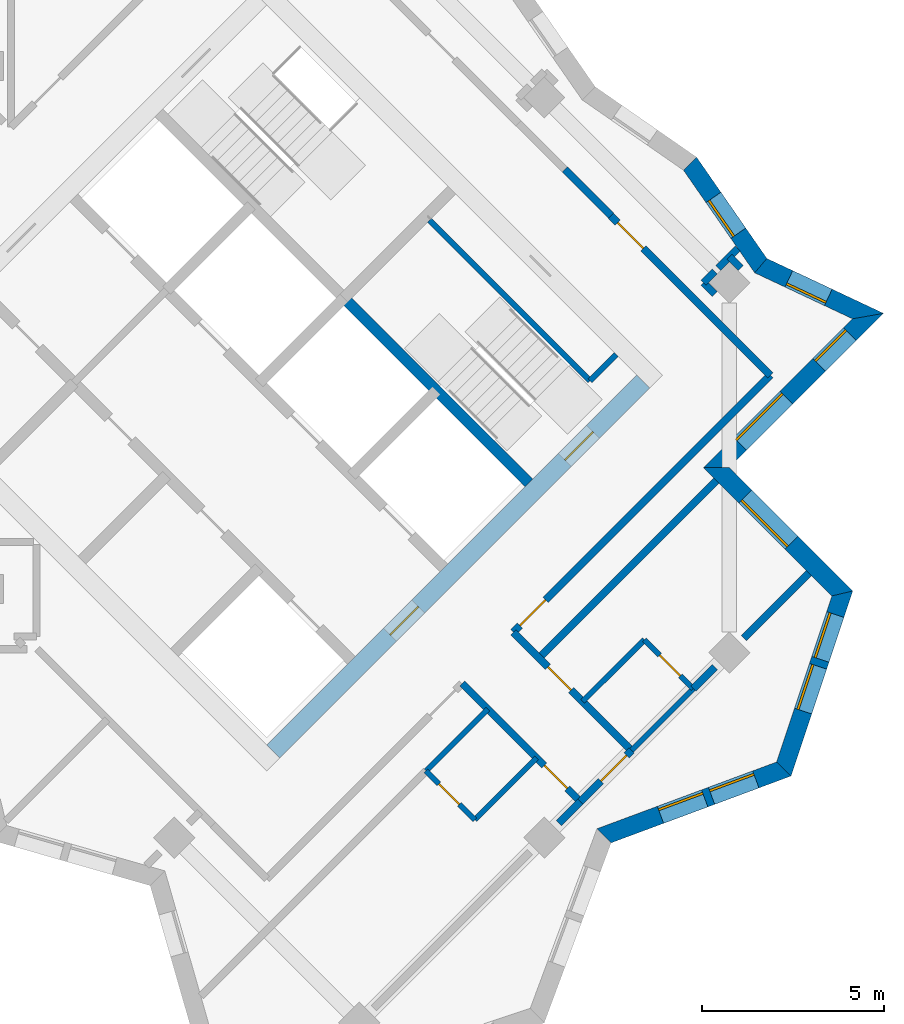
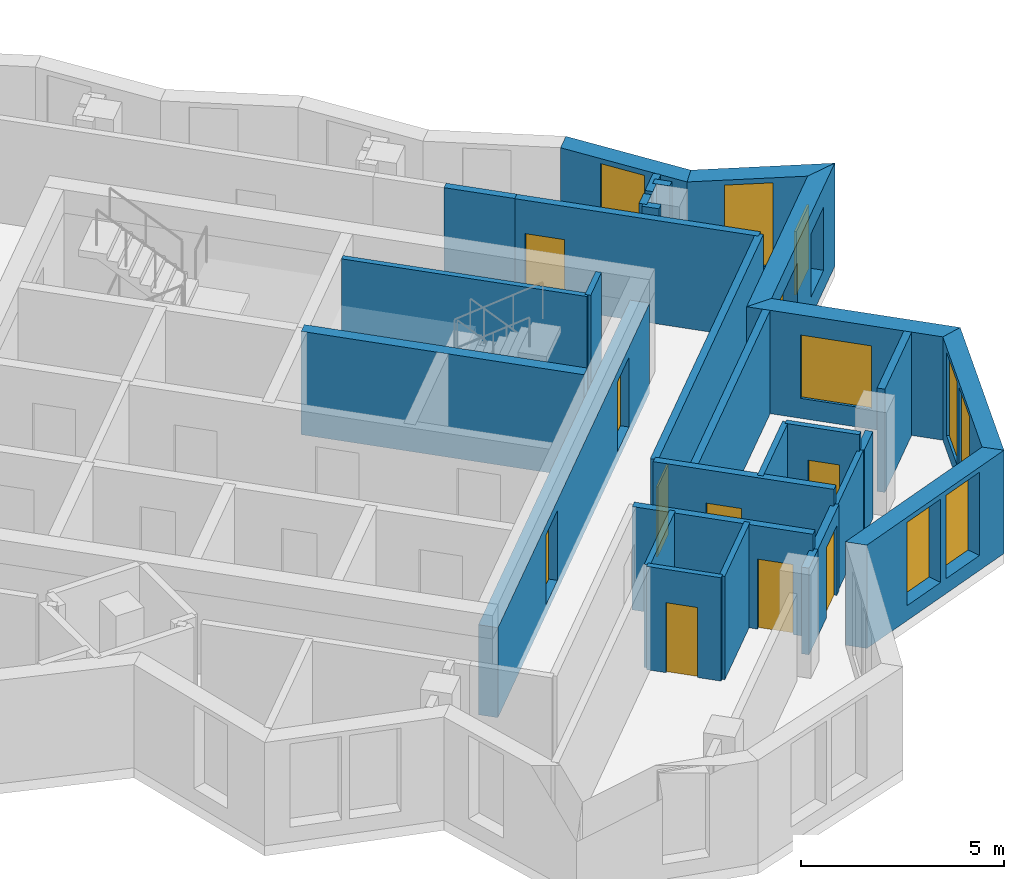
# One storey, part 9 of 13: 30 walls, 9 doors, 9 windows, 18 openings.
"""IFC4 building model written with IfcOpenShell, lengths in metres."""

from ifc_helpers import new_model, si_unit, direction, frame, frame_2d, origin, place, context, subcontext, project, spatial, polyline, rectangle, outline, extrude, material, layer, layer_set, type_object, element, fill, save


model = new_model("IFC4")

# Units and contexts
model_context = context("Model", 3, precision=1e-05, world=origin(), true_north=direction((0.0, 1.0)))
body_context = subcontext(model_context, "Body", "Model", "MODEL_VIEW")
ifc_project = project(units=[si_unit("LENGTHUNIT", "METRE"), si_unit("AREAUNIT", "SQUARE_METRE"), si_unit("VOLUMEUNIT", "CUBIC_METRE"), si_unit("PLANEANGLEUNIT", "RADIAN"), si_unit("MASSUNIT", "GRAM", prefix="KILO")], contexts=[model_context])

# Site, building, storey
site_placement = place(None, origin())
site = spatial("IfcSite", under=ifc_project, at=site_placement, CompositionType="ELEMENT")
building_placement = place(site_placement, origin())
building = spatial("IfcBuilding", under=site, at=building_placement, Name="Windrow Commons", CompositionType="ELEMENT")
storey_placement = place(building_placement, frame((0.0, 0.0, 223.6)))
storey = spatial("IfcBuildingStorey", under=building, at=storey_placement, Name="L61", CompositionType="ELEMENT", Elevation=223.6)

# Wall, openings, windows
ifc_material_1 = material(Name="Brick masonry, red clay brick", Category="masonry")
ifc_layer_1 = layer(ifc_material_1, 0.5)
ifc_layer_set_1 = layer_set([ifc_layer_1], Name="Brick facade wall 500")
wall_type_1 = type_object("IfcWallType", Name="Brick facade wall 500", PredefinedType="SOLIDWALL", material=ifc_layer_set_1)
wall_1_placement = place(storey_placement, frame((96.1175, 36.4148, 0.0), z_axis=(0.0, 0.0, 1.0), x_axis=(0.9374238577, 0.3481903374, 0.0)))
wall_1 = element("IfcWall", 1, at=wall_1_placement, inside=storey, type_object=wall_type_1, Name="Brick facade wall L61 3", PredefinedType="SOLIDWALL", context=body_context, shape_type="SweptSolid", body=[
    extrude(outline(polyline([(0.1146, -0.25), (5.3947, -0.25), (5.1552, 0.25), (-0.1146, 0.25), (0.1146, -0.25)])), origin(), (0.0, 0.0, 1.0), 3.1),
])
opening_1_placement = place(wall_1_placement, frame((1.655, 0.0, 0.45)))
opening_1 = element("IfcOpeningElement", 2, at=opening_1_placement, cuts=wall_1, Name="Opening W1Q", PredefinedType="OPENING", context=body_context, shape_type="SweptSolid", body=[
    extrude(rectangle(XDim=1.3, YDim=2.5, at=frame_2d((0.65, 1.25))), frame((0.0, 0.26, 0.0), z_axis=(0.0, -1.0, 0.0), x_axis=(1.0, 0.0, 0.0)), (0.0, 0.0, 1.0), 0.52),
])
opening_2_placement = place(wall_1_placement, frame((3.155, 0.0, 0.45)))
opening_2 = element("IfcOpeningElement", 3, at=opening_2_placement, cuts=wall_1, Name="Opening W1Q", PredefinedType="OPENING", context=body_context, shape_type="SweptSolid", body=[
    extrude(rectangle(XDim=1.3, YDim=2.5, at=frame_2d((0.65, 1.25))), frame((0.0, 0.26, 0.0), z_axis=(0.0, -1.0, 0.0), x_axis=(1.0, 0.0, 0.0)), (0.0, 0.0, 1.0), 0.52),
])
ifc_material_2 = material(Name="Clear float glass in anodised aluminium frame", Category="aluminium")
window_type_1 = type_object("IfcWindowType", Name="Window W1Q pair 1300x2500", PartitioningType="SINGLE_PANEL", PredefinedType="WINDOW", material=ifc_material_2)
window_1_placement = place(opening_1_placement, origin())
window_1 = element("IfcWindow", 4, at=window_1_placement, inside=storey, type_object=window_type_1, Name="Window L61 3.1A", OverallHeight=2.5, OverallWidth=1.3, PartitioningType="SINGLE_PANEL", PredefinedType="WINDOW", context=body_context, shape_type="SweptSolid", body=[
    extrude(rectangle(XDim=1.3, YDim=2.5, at=frame_2d((0.65, 1.25))), frame((0.0, 0.18, 0.0), z_axis=(0.0, -1.0, 0.0), x_axis=(1.0, 0.0, 0.0)), (0.0, 0.0, 1.0), 0.06),
])
fill(opening_1, window_1)
window_2_placement = place(opening_2_placement, origin())
window_2 = element("IfcWindow", 5, at=window_2_placement, inside=storey, type_object=window_type_1, Name="Window L61 3.1B", OverallHeight=2.5, OverallWidth=1.3, PartitioningType="SINGLE_PANEL", PredefinedType="WINDOW", context=body_context, shape_type="SweptSolid", body=[
    extrude(rectangle(XDim=1.3, YDim=2.5, at=frame_2d((0.65, 1.25))), frame((0.0, 0.18, 0.0), z_axis=(0.0, -1.0, 0.0), x_axis=(1.0, 0.0, 0.0)), (0.0, 0.0, 1.0), 0.06),
])
fill(opening_2, window_2)

wall_2_placement = place(storey_placement, frame((101.0624, 38.2515, 0.0), z_axis=(0.0, 0.0, 1.0), x_axis=(0.3162395484, 0.9486793705, 0.0)))
wall_2 = element("IfcWall", 6, at=wall_2_placement, inside=storey, type_object=wall_type_1, Name="Brick facade wall L61 4", PredefinedType="SOLIDWALL", context=body_context, shape_type="SweptSolid", body=[
    extrude(outline(polyline([(-0.1197, -0.25), (5.2468, -0.25), (4.9378, 0.25), (0.1197, 0.25), (-0.1197, -0.25)])), origin(), (0.0, 0.0, 1.0), 3.1),
])
opening_3_placement = place(wall_2_placement, frame((1.6796, 0.0, 0.45)))
opening_3 = element("IfcOpeningElement", 7, at=opening_3_placement, cuts=wall_2, Name="Opening W1Q", PredefinedType="OPENING", context=body_context, shape_type="SweptSolid", body=[
    extrude(rectangle(XDim=1.3, YDim=2.5, at=frame_2d((0.65, 1.25))), frame((0.0, 0.26, 0.0), z_axis=(0.0, -1.0, 0.0), x_axis=(1.0, 0.0, 0.0)), (0.0, 0.0, 1.0), 0.52),
])
opening_4_placement = place(wall_2_placement, frame((3.1796, 0.0, 0.45)))
opening_4 = element("IfcOpeningElement", 8, at=opening_4_placement, cuts=wall_2, Name="Opening W1Q", PredefinedType="OPENING", context=body_context, shape_type="SweptSolid", body=[
    extrude(rectangle(XDim=1.3, YDim=2.5, at=frame_2d((0.65, 1.25))), frame((0.0, 0.26, 0.0), z_axis=(0.0, -1.0, 0.0), x_axis=(1.0, 0.0, 0.0)), (0.0, 0.0, 1.0), 0.52),
])
window_3_placement = place(opening_3_placement, origin())
window_3 = element("IfcWindow", 9, at=window_3_placement, inside=storey, type_object=window_type_1, Name="Window L61 4.1A", OverallHeight=2.5, OverallWidth=1.3, PartitioningType="SINGLE_PANEL", PredefinedType="WINDOW", context=body_context, shape_type="SweptSolid", body=[
    extrude(rectangle(XDim=1.3, YDim=2.5, at=frame_2d((0.65, 1.25))), frame((0.0, 0.18, 0.0), z_axis=(0.0, -1.0, 0.0), x_axis=(1.0, 0.0, 0.0)), (0.0, 0.0, 1.0), 0.06),
])
fill(opening_3, window_3)
window_4_placement = place(opening_4_placement, origin())
window_4 = element("IfcWindow", 10, at=window_4_placement, inside=storey, type_object=window_type_1, Name="Window L61 4.1B", OverallHeight=2.5, OverallWidth=1.3, PartitioningType="SINGLE_PANEL", PredefinedType="WINDOW", context=body_context, shape_type="SweptSolid", body=[
    extrude(rectangle(XDim=1.3, YDim=2.5, at=frame_2d((0.65, 1.25))), frame((0.0, 0.18, 0.0), z_axis=(0.0, -1.0, 0.0), x_axis=(1.0, 0.0, 0.0)), (0.0, 0.0, 1.0), 0.06),
])
fill(opening_4, window_4)

# Wall, opening, window
wall_3_placement = place(storey_placement, frame((102.6728, 43.0825, 0.0), z_axis=(0.0, 0.0, 1.0), x_axis=(-0.7071067812, 0.7071067812, 0.0)))
wall_3 = element("IfcWall", 11, at=wall_3_placement, inside=storey, type_object=wall_type_1, Name="Brick facade wall L61 5", PredefinedType="SOLIDWALL", context=body_context, shape_type="SweptSolid", body=[
    extrude(outline(polyline([(-0.1545, -0.25), (4.6455, -0.25), (5.1455, 0.25), (0.1545, 0.25), (-0.1545, -0.25)])), origin(), (0.0, 0.0, 1.0), 3.1),
])
opening_5_placement = place(wall_3_placement, frame((1.9705, 0.0, 0.6)))
opening_5 = element("IfcOpeningElement", 12, at=opening_5_placement, cuts=wall_3, Name="Opening W1L", PredefinedType="OPENING", context=body_context, shape_type="SweptSolid", body=[
    extrude(rectangle(XDim=1.8, YDim=1.9, at=frame_2d((0.9, 0.95))), frame((0.0, 0.26, 0.0), z_axis=(0.0, -1.0, 0.0), x_axis=(1.0, 0.0, 0.0)), (0.0, 0.0, 1.0), 0.52),
])
ifc_material_3 = material(Name="Clear float glass in anodised aluminium frame", Category="aluminium")
window_type_2 = type_object("IfcWindowType", Name="Window W1L bedroom 1800x1900", PartitioningType="SINGLE_PANEL", PredefinedType="WINDOW", material=ifc_material_3)
window_5_placement = place(opening_5_placement, origin())
window_5 = element("IfcWindow", 13, at=window_5_placement, inside=storey, type_object=window_type_2, Name="Window L61 5.1", OverallHeight=1.9, OverallWidth=1.8, PartitioningType="SINGLE_PANEL", PredefinedType="WINDOW", context=body_context, shape_type="SweptSolid", body=[
    extrude(rectangle(XDim=1.8, YDim=1.9, at=frame_2d((0.9, 0.95))), frame((0.0, 0.18, 0.0), z_axis=(0.0, -1.0, 0.0), x_axis=(1.0, 0.0, 0.0)), (0.0, 0.0, 1.0), 0.06),
])
fill(opening_5, window_5)

# Wall, openings, windows
wall_4_placement = place(storey_placement, frame((99.2111, 46.5442, 0.0), z_axis=(0.0, 0.0, 1.0), x_axis=(0.7071152597, 0.7070983025, 0.0)))
wall_4 = element("IfcWall", 14, at=wall_4_placement, inside=storey, type_object=wall_type_1, Name="Brick facade wall L61 6", PredefinedType="SOLIDWALL", context=body_context, shape_type="SweptSolid", body=[
    extrude(outline(polyline([(0.25, -0.25), (6.253, -0.25), (5.5414, 0.25), (-0.25, 0.25), (0.25, -0.25)])), origin(), (0.0, 0.0, 1.0), 3.1),
])
opening_6_placement = place(wall_4_placement, frame((0.925, 0.0, 0.6)))
opening_6 = element("IfcOpeningElement", 15, at=opening_6_placement, cuts=wall_4, Name="Opening W1L", PredefinedType="OPENING", context=body_context, shape_type="SweptSolid", body=[
    extrude(rectangle(XDim=1.8, YDim=1.9, at=frame_2d((0.9, 0.95))), frame((0.0, 0.26, 0.0), z_axis=(0.0, -1.0, 0.0), x_axis=(1.0, 0.0, 0.0)), (0.0, 0.0, 1.0), 0.52),
])
opening_7_placement = place(wall_4_placement, frame((3.9957, 0.0, 0.6)))
opening_7 = element("IfcOpeningElement", 16, at=opening_7_placement, cuts=wall_4, Name="Opening W7G", PredefinedType="OPENING", context=body_context, shape_type="SweptSolid", body=[
    extrude(rectangle(XDim=1.2, YDim=1.9, at=frame_2d((0.6, 0.95))), frame((0.0, 0.26, 0.0), z_axis=(0.0, -1.0, 0.0), x_axis=(1.0, 0.0, 0.0)), (0.0, 0.0, 1.0), 0.52),
])
window_6_placement = place(opening_6_placement, origin())
window_6 = element("IfcWindow", 17, at=window_6_placement, inside=storey, type_object=window_type_2, Name="Window L61 6.1", OverallHeight=1.9, OverallWidth=1.8, PartitioningType="SINGLE_PANEL", PredefinedType="WINDOW", context=body_context, shape_type="SweptSolid", body=[
    extrude(rectangle(XDim=1.8, YDim=1.9, at=frame_2d((0.9, 0.95))), frame((0.0, 0.18, 0.0), z_axis=(0.0, -1.0, 0.0), x_axis=(1.0, 0.0, 0.0)), (0.0, 0.0, 1.0), 0.06),
])
fill(opening_6, window_6)
ifc_material_4 = material(Name="Clear float glass in anodised aluminium frame", Category="aluminium")
window_type_3 = type_object("IfcWindowType", Name="Window W7 notch 1200x1900", PartitioningType="SINGLE_PANEL", PredefinedType="WINDOW", material=ifc_material_4)
window_7_placement = place(opening_7_placement, origin())
window_7 = element("IfcWindow", 18, at=window_7_placement, inside=storey, type_object=window_type_3, Name="Window L61 6.2", OverallHeight=1.9, OverallWidth=1.2, PartitioningType="SINGLE_PANEL", PredefinedType="WINDOW", context=body_context, shape_type="SweptSolid", body=[
    extrude(rectangle(XDim=1.2, YDim=1.9, at=frame_2d((0.6, 0.95))), frame((0.0, 0.18, 0.0), z_axis=(0.0, -1.0, 0.0), x_axis=(1.0, 0.0, 0.0)), (0.0, 0.0, 1.0), 0.06),
])
fill(opening_7, window_7)

# Wall, opening, window
wall_5_placement = place(storey_placement, frame((103.3811, 50.7141, 0.0), z_axis=(0.0, 0.0, 1.0), x_axis=(-0.9049027781, 0.4256183292, 0.0)))
wall_5 = element("IfcWall", 19, at=wall_5_placement, inside=storey, type_object=wall_type_1, Name="Brick facade wall L61 7", PredefinedType="SOLIDWALL", context=body_context, shape_type="SweptSolid", body=[
    extrude(outline(polyline([(-0.3558, -0.25), (3.1938, -0.25), (3.328, 0.25), (0.3558, 0.25), (-0.3558, -0.25)])), origin(), (0.0, 0.0, 1.0), 3.1),
])
opening_8_placement = place(wall_5_placement, frame((1.2083, 0.0, 0.45)))
opening_8 = element("IfcOpeningElement", 20, at=opening_8_placement, cuts=wall_5, Name="Opening W7E", PredefinedType="OPENING", context=body_context, shape_type="SweptSolid", body=[
    extrude(rectangle(XDim=1.2, YDim=2.5, at=frame_2d((0.6, 1.25))), frame((0.0, 0.26, 0.0), z_axis=(0.0, -1.0, 0.0), x_axis=(1.0, 0.0, 0.0)), (0.0, 0.0, 1.0), 0.52),
])
ifc_material_5 = material(Name="Clear float glass in anodised aluminium frame", Category="aluminium")
window_type_4 = type_object("IfcWindowType", Name="Window W7 notch 1200x2500", PartitioningType="SINGLE_PANEL", PredefinedType="WINDOW", material=ifc_material_5)
window_8_placement = place(opening_8_placement, origin())
window_8 = element("IfcWindow", 21, at=window_8_placement, inside=storey, type_object=window_type_4, Name="Window L61 7.1", OverallHeight=2.5, OverallWidth=1.2, PartitioningType="SINGLE_PANEL", PredefinedType="WINDOW", context=body_context, shape_type="SweptSolid", body=[
    extrude(rectangle(XDim=1.2, YDim=2.5, at=frame_2d((0.6, 1.25))), frame((0.0, 0.18, 0.0), z_axis=(0.0, -1.0, 0.0), x_axis=(1.0, 0.0, 0.0)), (0.0, 0.0, 1.0), 0.06),
])
fill(opening_8, window_8)

wall_6_placement = place(storey_placement, frame((100.4303, 52.102, 0.0), z_axis=(0.0, 0.0, 1.0), x_axis=(-0.5702097962, 0.8214991103, 0.0)))
wall_6 = element("IfcWall", 22, at=wall_6_placement, inside=storey, type_object=wall_type_1, Name="Brick facade wall L61 8", PredefinedType="SOLIDWALL", context=body_context, shape_type="SweptSolid", body=[
    extrude(outline(polyline([(0.0671, -0.25), (3.4606, -0.25), (3.3703, 0.25), (-0.0671, 0.25), (0.0671, -0.25)])), origin(), (0.0, 0.0, 1.0), 3.1),
])
opening_9_placement = place(wall_6_placement, frame((1.0852, 0.0, 0.45)))
opening_9 = element("IfcOpeningElement", 23, at=opening_9_placement, cuts=wall_6, Name="Opening W7E", PredefinedType="OPENING", context=body_context, shape_type="SweptSolid", body=[
    extrude(rectangle(XDim=1.2, YDim=2.5, at=frame_2d((0.6, 1.25))), frame((0.0, 0.26, 0.0), z_axis=(0.0, -1.0, 0.0), x_axis=(1.0, 0.0, 0.0)), (0.0, 0.0, 1.0), 0.52),
])
window_9_placement = place(opening_9_placement, origin())
window_9 = element("IfcWindow", 24, at=window_9_placement, inside=storey, type_object=window_type_4, Name="Window L61 8.1", OverallHeight=2.5, OverallWidth=1.2, PartitioningType="SINGLE_PANEL", PredefinedType="WINDOW", context=body_context, shape_type="SweptSolid", body=[
    extrude(rectangle(XDim=1.2, YDim=2.5, at=frame_2d((0.6, 1.25))), frame((0.0, 0.18, 0.0), z_axis=(0.0, -1.0, 0.0), x_axis=(1.0, 0.0, 0.0)), (0.0, 0.0, 1.0), 0.06),
])
fill(opening_9, window_9)

# Wall, opening, door
ifc_material_6 = material(Name="Blockwork partition", Category="masonry")
ifc_layer_2 = layer(ifc_material_6, 0.2)
ifc_layer_set_2 = layer_set([ifc_layer_2], Name="IW-CORRIDOR-200")
wall_type_2 = type_object("IfcWallType", Name="IW-CORRIDOR-200", PredefinedType="PARTITIONING", material=ifc_layer_set_2)
wall_7_placement = place(storey_placement, frame((93.6253, 42.0207, 0.0), z_axis=(0.0, 0.0, 1.0), x_axis=(0.7071067812, 0.7071067812, 0.0)))
wall_7 = element("IfcWall", 25, at=wall_7_placement, inside=storey, type_object=wall_type_2, Name="W-L61-W008", PredefinedType="PARTITIONING", context=body_context, shape_type="SweptSolid", body=[
    extrude(rectangle(XDim=9.9985, YDim=0.2, at=frame_2d((4.9992, 0.0))), origin(), (0.0, 0.0, 1.0), 3.1),
])
opening_10_placement = place(wall_7_placement, frame((0.2476, 0.0, 0.0)))
opening_10 = element("IfcOpeningElement", 26, at=opening_10_placement, cuts=wall_7, Name="Opening D310F", PredefinedType="OPENING", context=body_context, shape_type="SweptSolid", body=[
    extrude(rectangle(XDim=1.0, YDim=2.1, at=frame_2d((0.5, 1.05))), frame((0.0, 0.11, 0.0), z_axis=(0.0, -1.0, 0.0), x_axis=(1.0, 0.0, 0.0)), (0.0, 0.0, 1.0), 0.22),
])
ifc_material_7 = material(Name="Timber door leaf", Category="wood")
door_type_1 = type_object("IfcDoorType", Name="DT-AMENITY-1000", OperationType="SINGLE_SWING_LEFT", PredefinedType="DOOR", material=ifc_material_7)
door_1_placement = place(opening_10_placement, origin())
door_1 = element("IfcDoor", 27, at=door_1_placement, inside=storey, type_object=door_type_1, Name="D-L61-D045", OperationType="SINGLE_SWING_LEFT", OverallHeight=2.1, OverallWidth=1.0, PredefinedType="DOOR", context=body_context, shape_type="SweptSolid", body=[
    extrude(rectangle(XDim=1.0, YDim=2.1, at=frame_2d((0.5, 1.05))), frame((0.0, 0.025, 0.0), z_axis=(0.0, -1.0, 0.0), x_axis=(1.0, 0.0, 0.0)), (0.0, 0.0, 1.0), 0.05),
])
fill(opening_10, door_1)

wall_8_placement = place(storey_placement, frame((96.3087, 53.4707, 0.0), z_axis=(0.0, 0.0, 1.0), x_axis=(0.7071067812, -0.7071067812, 0.0)))
wall_8 = element("IfcWall", 28, at=wall_8_placement, inside=storey, type_object=wall_type_2, Name="W-L61-W025", PredefinedType="PARTITIONING", context=body_context, shape_type="SweptSolid", body=[
    extrude(rectangle(XDim=6.1999, YDim=0.2, at=frame_2d((3.1, 0.0))), origin(), (0.0, 0.0, 1.0), 3.1),
])
opening_11_placement = place(wall_8_placement, frame((0.2626, 0.0, 0.0)))
opening_11 = element("IfcOpeningElement", 29, at=opening_11_placement, cuts=wall_8, Name="Opening D310F", PredefinedType="OPENING", context=body_context, shape_type="SweptSolid", body=[
    extrude(rectangle(XDim=1.0, YDim=2.1, at=frame_2d((0.5, 1.05))), frame((0.0, 0.11, 0.0), z_axis=(0.0, -1.0, 0.0), x_axis=(1.0, 0.0, 0.0)), (0.0, 0.0, 1.0), 0.22),
])
door_2_placement = place(opening_11_placement, origin())
door_2 = element("IfcDoor", 30, at=door_2_placement, inside=storey, type_object=door_type_1, Name="D-L61-D047", OperationType="SINGLE_SWING_LEFT", OverallHeight=2.1, OverallWidth=1.0, PredefinedType="DOOR", context=body_context, shape_type="SweptSolid", body=[
    extrude(rectangle(XDim=1.0, YDim=2.1, at=frame_2d((0.5, 1.05))), frame((0.0, 0.025, 0.0), z_axis=(0.0, -1.0, 0.0), x_axis=(1.0, 0.0, 0.0)), (0.0, 0.0, 1.0), 0.05),
])
fill(opening_11, door_2)

wall_9_placement = place(storey_placement, frame((93.6226, 42.0146, 0.0), z_axis=(0.0, 0.0, 1.0), x_axis=(0.7071067812, -0.7071067812, 0.0)))
wall_9 = element("IfcWall", 31, at=wall_9_placement, inside=storey, type_object=wall_type_2, Name="W-L61-W038", PredefinedType="PARTITIONING", context=body_context, shape_type="SweptSolid", body=[
    extrude(rectangle(XDim=4.599, YDim=0.2, at=frame_2d((2.2995, 0.0))), origin(), (0.0, 0.0, 1.0), 3.1),
])
opening_12_placement = place(wall_9_placement, frame((1.3488, 0.0, 0.0)))
opening_12 = element("IfcOpeningElement", 32, at=opening_12_placement, cuts=wall_9, Name="Opening D109S", PredefinedType="OPENING", context=body_context, shape_type="SweptSolid", body=[
    extrude(rectangle(XDim=0.9, YDim=2.1, at=frame_2d((0.45, 1.05))), frame((0.0, 0.11, 0.0), z_axis=(0.0, -1.0, 0.0), x_axis=(1.0, 0.0, 0.0)), (0.0, 0.0, 1.0), 0.22),
])
ifc_material_8 = material(Name="Timber door leaf", Category="wood")
door_type_2 = type_object("IfcDoorType", Name="DT-BEDROOM-900", OperationType="SINGLE_SWING_LEFT", PredefinedType="DOOR", material=ifc_material_8)
door_3_placement = place(opening_12_placement, origin())
door_3 = element("IfcDoor", 33, at=door_3_placement, inside=storey, type_object=door_type_2, Name="D-L61-D051", OperationType="SINGLE_SWING_RIGHT", OverallHeight=2.1, OverallWidth=0.9, PredefinedType="DOOR", context=body_context, shape_type="SweptSolid", body=[
    extrude(rectangle(XDim=0.9, YDim=2.1, at=frame_2d((0.45, 1.05))), frame((0.0, 0.025, 0.0), z_axis=(0.0, -1.0, 0.0), x_axis=(1.0, 0.0, 0.0)), (0.0, 0.0, 1.0), 0.05),
])
fill(opening_12, door_3)

wall_10_placement = place(storey_placement, frame((92.2155, 40.6075, 0.0), z_axis=(0.0, 0.0, 1.0), x_axis=(0.7071067812, -0.7071067812, 0.0)))
wall_10 = element("IfcWall", 34, at=wall_10_placement, inside=storey, type_object=wall_type_2, Name="W-L61-W039", PredefinedType="PARTITIONING", context=body_context, shape_type="SweptSolid", body=[
    extrude(rectangle(XDim=4.599, YDim=0.2, at=frame_2d((2.2995, 0.0))), origin(), (0.0, 0.0, 1.0), 3.1),
])
opening_13_placement = place(wall_10_placement, frame((3.1888, 0.0, 0.0)))
opening_13 = element("IfcOpeningElement", 35, at=opening_13_placement, cuts=wall_10, Name="Opening D109S", PredefinedType="OPENING", context=body_context, shape_type="SweptSolid", body=[
    extrude(rectangle(XDim=0.9, YDim=2.1, at=frame_2d((0.45, 1.05))), frame((0.0, 0.11, 0.0), z_axis=(0.0, -1.0, 0.0), x_axis=(1.0, 0.0, 0.0)), (0.0, 0.0, 1.0), 0.22),
])
door_4_placement = place(opening_13_placement, origin())
door_4 = element("IfcDoor", 36, at=door_4_placement, inside=storey, type_object=door_type_2, Name="D-L61-D053", OperationType="SINGLE_SWING_LEFT", OverallHeight=2.1, OverallWidth=0.9, PredefinedType="DOOR", context=body_context, shape_type="SweptSolid", body=[
    extrude(rectangle(XDim=0.9, YDim=2.1, at=frame_2d((0.45, 1.05))), frame((0.0, 0.025, 0.0), z_axis=(0.0, -1.0, 0.0), x_axis=(1.0, 0.0, 0.0)), (0.0, 0.0, 1.0), 0.05),
])
fill(opening_13, door_4)

wall_11_placement = place(storey_placement, frame((95.463, 37.353, 0.0), z_axis=(0.0, 0.0, 1.0), x_axis=(0.7071067812, 0.7071067812, 0.0)))
wall_11 = element("IfcWall", 37, at=wall_11_placement, inside=storey, type_object=wall_type_2, Name="W-L61-W110", PredefinedType="PARTITIONING", context=body_context, shape_type="SweptSolid", body=[
    extrude(rectangle(XDim=1.9997, YDim=0.2, at=frame_2d((0.9999, 0.0))), origin(), (0.0, 0.0, 1.0), 2.6),
])
opening_14_placement = place(wall_11_placement, frame((0.8023, 0.0, 0.0)))
opening_14 = element("IfcOpeningElement", 38, at=opening_14_placement, cuts=wall_11, Name="Opening D310F", PredefinedType="OPENING", context=body_context, shape_type="SweptSolid", body=[
    extrude(rectangle(XDim=1.0, YDim=2.1, at=frame_2d((0.5, 1.05))), frame((0.0, 0.11, 0.0), z_axis=(0.0, -1.0, 0.0), x_axis=(1.0, 0.0, 0.0)), (0.0, 0.0, 1.0), 0.22),
])
door_5_placement = place(opening_14_placement, origin())
door_5 = element("IfcDoor", 39, at=door_5_placement, inside=storey, type_object=door_type_1, Name="D-L61-D055", OperationType="SINGLE_SWING_RIGHT", OverallHeight=2.1, OverallWidth=1.0, PredefinedType="DOOR", context=body_context, shape_type="SweptSolid", body=[
    extrude(rectangle(XDim=1.0, YDim=2.1, at=frame_2d((0.5, 1.05))), frame((0.0, 0.025, 0.0), z_axis=(0.0, -1.0, 0.0), x_axis=(1.0, 0.0, 0.0)), (0.0, 0.0, 1.0), 0.05),
])
fill(opening_14, door_5)

# Walls
wall_12_placement = place(storey_placement, frame((95.0411, 54.7491, 0.0), z_axis=(0.0, 0.0, 1.0), x_axis=(0.7065510983, -0.7076620277, 0.0)))
element("IfcWall", 40, at=wall_12_placement, inside=storey, type_object=wall_type_2, Name="W-L61-W125", PredefinedType="PARTITIONING", context=body_context, shape_type="SweptSolid", body=[
    extrude(rectangle(XDim=1.8003, YDim=0.2, at=frame_2d((0.9002, 0.0))), origin(), (0.0, 0.0, 1.0), 3.1),
])
ifc_material_9 = material(Name="Blockwork partition", Category="masonry")
ifc_layer_3 = layer(ifc_material_9, 0.15)
ifc_layer_set_3 = layer_set([ifc_layer_3], Name="IW-ENSUITE-150")
wall_type_3 = type_object("IfcWallType", Name="IW-ENSUITE-150", PredefinedType="PARTITIONING", material=ifc_layer_set_3)
for number, where, z_axis, x_axis, name in (
    (41, (92.5629, 36.8571, 0.0), (0.0, 0.0, 1.0), (0.7071067812, 0.7071067812, 0.0), "W-L61-W071"),
    (42, (91.2194, 38.2006, 0.0), (0.0, 0.0, 1.0), (0.7071067812, 0.7071067812, 0.0), "W-L61-W072"),
):
    element("IfcWall", number, at=place(storey_placement, frame(where, z_axis=z_axis, x_axis=x_axis)), inside=storey, type_object=wall_type_3, Name=name, PredefinedType="PARTITIONING", context=body_context, shape_type="SweptSolid", body=[
        extrude(rectangle(XDim=2.4013, YDim=0.15, at=frame_2d((1.2006, 0.0))), origin(), (0.0, 0.0, 1.0), 3.1),
    ])
wall_13_placement = place(storey_placement, frame((96.8795, 38.7645, 0.0), z_axis=(0.0, 0.0, 1.0), x_axis=(0.706689978, 0.7075233388, 0.0)))
element("IfcWall", 43, at=wall_13_placement, inside=storey, type_object=wall_type_3, Name="W-L61-W101", PredefinedType="PARTITIONING", context=body_context, shape_type="SweptSolid", body=[
    extrude(rectangle(XDim=2.3999, YDim=0.15, at=frame_2d((1.2, 0.0))), origin(), (0.0, 0.0, 1.0), 2.6),
])
wall_14_placement = place(storey_placement, frame((95.5311, 40.1129, 0.0), z_axis=(0.0, 0.0, 1.0), x_axis=(0.7075233388, 0.706689978, 0.0)))
element("IfcWall", 44, at=wall_14_placement, inside=storey, type_object=wall_type_3, Name="W-L61-W102", PredefinedType="PARTITIONING", context=body_context, shape_type="SweptSolid", body=[
    extrude(rectangle(XDim=2.3999, YDim=0.15, at=frame_2d((1.2, 0.0))), origin(), (0.0, 0.0, 1.0), 3.1),
])

# Wall, opening, door
wall_15_placement = place(storey_placement, frame((91.2173, 38.1973, 0.0), z_axis=(0.0, 0.0, 1.0), x_axis=(0.7071067812, -0.7071067812, 0.0)))
wall_15 = element("IfcWall", 45, at=wall_15_placement, inside=storey, type_object=wall_type_3, Name="W-L61-W114", PredefinedType="PARTITIONING", context=body_context, shape_type="SweptSolid", body=[
    extrude(rectangle(XDim=1.9007, YDim=0.15, at=frame_2d((0.9504, 0.0))), origin(), (0.0, 0.0, 1.0), 3.1),
])
opening_15_placement = place(wall_15_placement, frame((0.5024, 0.0, 0.0)))
opening_15 = element("IfcOpeningElement", 46, at=opening_15_placement, cuts=wall_15, Name="Opening D208N", PredefinedType="OPENING", context=body_context, shape_type="SweptSolid", body=[
    extrude(rectangle(XDim=0.8, YDim=2.1, at=frame_2d((0.4, 1.05))), frame((0.0, 0.085, 0.0), z_axis=(0.0, -1.0, 0.0), x_axis=(1.0, 0.0, 0.0)), (0.0, 0.0, 1.0), 0.17),
])
ifc_material_10 = material(Name="Timber door leaf", Category="wood")
door_type_3 = type_object("IfcDoorType", Name="DT-ENSUITE-800", OperationType="SINGLE_SWING_LEFT", PredefinedType="DOOR", material=ifc_material_10)
door_6_placement = place(opening_15_placement, origin())
door_6 = element("IfcDoor", 47, at=door_6_placement, inside=storey, type_object=door_type_3, Name="D-L61-D054", OperationType="SINGLE_SWING_RIGHT", OverallHeight=2.1, OverallWidth=0.8, PredefinedType="DOOR", context=body_context, shape_type="SweptSolid", body=[
    extrude(rectangle(XDim=0.8, YDim=2.1, at=frame_2d((0.4, 1.05))), frame((0.0, 0.025, 0.0), z_axis=(0.0, -1.0, 0.0), x_axis=(1.0, 0.0, 0.0)), (0.0, 0.0, 1.0), 0.05),
])
fill(opening_15, door_6)

wall_16_placement = place(storey_placement, frame((97.2287, 41.8027, 0.0), z_axis=(0.0, 0.0, 1.0), x_axis=(0.7071067812, -0.7071067812, 0.0)))
wall_16 = element("IfcWall", 48, at=wall_16_placement, inside=storey, type_object=wall_type_3, Name="W-L61-W123", PredefinedType="PARTITIONING", context=body_context, shape_type="SweptSolid", body=[
    extrude(rectangle(XDim=1.8979, YDim=0.15, at=frame_2d((0.9489, 0.0))), origin(), (0.0, 0.0, 1.0), 3.1),
])
opening_16_placement = place(wall_16_placement, frame((0.5942, 0.0, 0.0)))
opening_16 = element("IfcOpeningElement", 49, at=opening_16_placement, cuts=wall_16, Name="Opening D208N", PredefinedType="OPENING", context=body_context, shape_type="SweptSolid", body=[
    extrude(rectangle(XDim=0.8, YDim=2.1, at=frame_2d((0.4, 1.05))), frame((0.0, 0.085, 0.0), z_axis=(0.0, -1.0, 0.0), x_axis=(1.0, 0.0, 0.0)), (0.0, 0.0, 1.0), 0.17),
])
door_7_placement = place(opening_16_placement, origin())
door_7 = element("IfcDoor", 50, at=door_7_placement, inside=storey, type_object=door_type_3, Name="D-L61-D052", OperationType="SINGLE_SWING_RIGHT", OverallHeight=2.1, OverallWidth=0.8, PredefinedType="DOOR", context=body_context, shape_type="SweptSolid", body=[
    extrude(rectangle(XDim=0.8, YDim=2.1, at=frame_2d((0.4, 1.05))), frame((0.0, 0.025, 0.0), z_axis=(0.0, -1.0, 0.0), x_axis=(1.0, 0.0, 0.0)), (0.0, 0.0, 1.0), 0.05),
])
fill(opening_16, door_7)

# Walls
ifc_material_11 = material(Name="Blockwork partition", Category="masonry")
ifc_layer_4 = layer(ifc_material_11, 0.2)
ifc_layer_set_4 = layer_set([ifc_layer_4], Name="IW-PARTY-200")
wall_type_4 = type_object("IfcWallType", Name="IW-PARTY-200", PredefinedType="PARTITIONING", material=ifc_layer_set_4)
wall_17_placement = place(storey_placement, frame((94.3314, 41.3126, 0.0), z_axis=(0.0, 0.0, 1.0), x_axis=(0.7072516979, 0.7069618347, 0.0)))
element("IfcWall", 51, at=wall_17_placement, inside=storey, type_object=wall_type_4, Name="W-L61-W017", PredefinedType="PARTITIONING", context=body_context, shape_type="SweptSolid", body=[
    extrude(rectangle(XDim=6.8998, YDim=0.2, at=frame_2d((3.4499, 0.0))), origin(), (0.0, 0.0, 1.0), 3.1),
])
wall_18_placement = place(storey_placement, frame((99.964, 41.854, 0.0), z_axis=(0.0, 0.0, 1.0), x_axis=(0.7071265121, 0.7070870497, 0.0)))
element("IfcWall", 52, at=wall_18_placement, inside=storey, type_object=wall_type_4, Name="W-L61-W070", PredefinedType="PARTITIONING", context=body_context, shape_type="SweptSolid", body=[
    extrude(rectangle(XDim=2.5341, YDim=0.2, at=frame_2d((1.2671, 0.0))), origin(), (0.0, 0.0, 1.0), 3.1),
])
for number, where, z_axis, x_axis, name in (
    (53, (98.574, 40.464, 0.0), (0.0, 0.0, 1.0), (0.7071067812, 0.7071067812, 0.0), "W-L61-W145"),
    (54, (94.873, 36.763, 0.0), (0.0, 0.0, 1.0), (0.7071067812, 0.7071067812, 0.0), "W-L61-W146"),
):
    element("IfcWall", number, at=place(storey_placement, frame(where, z_axis=z_axis, x_axis=x_axis)), inside=storey, type_object=wall_type_4, Name=name, PredefinedType="PARTITIONING", context=body_context, shape_type="SweptSolid", body=[
        extrude(rectangle(XDim=0.8344, YDim=0.2, at=frame_2d((0.4172, 0.0))), origin(), (0.0, 0.0, 1.0), 2.6),
    ])
for number, where, z_axis, x_axis, name in (
    (55, (98.8533, 51.6327, 0.0), (0.0, 0.0, 1.0), (0.7071067812, 0.7071067812, 0.0), "W-L61-W174"),
    (56, (98.8542, 51.6322, 0.0), (0.0, 0.0, 1.0), (0.7071067812, -0.7071067812, 0.0), "W-L61-W177"),
    (57, (99.5684, 52.3464, 0.0), (0.0, 0.0, 1.0), (0.7071067812, -0.7071067812, 0.0), "W-L61-W178"),
):
    element("IfcWall", number, at=place(storey_placement, frame(where, z_axis=z_axis, x_axis=x_axis)), inside=storey, type_object=wall_type_4, Name=name, PredefinedType="PARTITIONING", context=body_context, shape_type="SweptSolid", body=[
        extrude(rectangle(XDim=0.4384, YDim=0.2, at=frame_2d((0.2192, 0.0))), origin(), (0.0, 0.0, 1.0), 3.1),
    ])
wall_19_placement = place(storey_placement, frame((99.2573, 52.0367, 0.0), z_axis=(0.0, 0.0, 1.0), x_axis=(0.7071067812, 0.7071067812, 0.0)))
element("IfcWall", 58, at=wall_19_placement, inside=storey, type_object=wall_type_4, Name="W-L61-W181", PredefinedType="PARTITIONING", context=body_context, shape_type="SweptSolid", body=[
    extrude(rectangle(XDim=0.763, YDim=0.2, at=frame_2d((0.3815, 0.0))), origin(), (0.0, 0.0, 1.0), 3.1),
])

# Wall, openings, doors
ifc_material_12 = material(Name="Concrete C40/50", Category="concrete")
ifc_layer_5 = layer(ifc_material_12, 0.5)
ifc_layer_set_5 = layer_set([ifc_layer_5], Name="RC CORE WALL 500 C40/50")
wall_type_5 = type_object("IfcWallType", Name="RC CORE WALL 500 C40/50", PredefinedType="SHEAR", material=ifc_layer_set_5)
wall_20_placement = place(storey_placement, frame((87.0135, 38.7306, -0.3), z_axis=(0.0, 0.0, 1.0), x_axis=(0.7071067812, 0.7071067812, 0.0)))
wall_20 = element("IfcWall", 59, at=wall_20_placement, inside=storey, type_object=wall_type_5, Name="Core B wall outer-E", PredefinedType="SHEAR", context=body_context, shape_type="SweptSolid", body=[
    extrude(rectangle(XDim=14.4001, YDim=0.5, at=frame_2d((7.2001, 0.0))), origin(), (0.0, 0.0, 1.0), 2.7),
])
opening_17_placement = place(wall_20_placement, frame((4.55, 0.0, 0.3)))
opening_17 = element("IfcOpeningElement", 60, at=opening_17_placement, cuts=wall_20, Name="Opening D6", PredefinedType="OPENING", context=body_context, shape_type="SweptSolid", body=[
    extrude(rectangle(XDim=1.1, YDim=2.1, at=frame_2d((0.55, 1.05))), frame((0.0, 0.26, 0.0), z_axis=(0.0, -1.0, 0.0), x_axis=(1.0, 0.0, 0.0)), (0.0, 0.0, 1.0), 0.52),
])
opening_18_placement = place(wall_20_placement, frame((11.35, 0.0, 0.3)))
opening_18 = element("IfcOpeningElement", 61, at=opening_18_placement, cuts=wall_20, Name="Opening D7", PredefinedType="OPENING", context=body_context, shape_type="SweptSolid", body=[
    extrude(rectangle(XDim=1.1, YDim=2.1, at=frame_2d((0.55, 1.05))), frame((0.0, 0.26, 0.0), z_axis=(0.0, -1.0, 0.0), x_axis=(1.0, 0.0, 0.0)), (0.0, 0.0, 1.0), 0.52),
])
ifc_material_13 = material(Name="Steel fire door leaf", Category="steel")
door_type_4 = type_object("IfcDoorType", Name="Core lobby door 1100", OperationType="SINGLE_SWING_LEFT", PredefinedType="DOOR", material=ifc_material_13)
door_8_placement = place(opening_17_placement, origin())
door_8 = element("IfcDoor", 62, at=door_8_placement, inside=storey, type_object=door_type_4, Name="Lift lobby door", OperationType="DOUBLE_DOOR_SINGLE_SWING", OverallHeight=2.1, OverallWidth=1.1, PredefinedType="DOOR", context=body_context, shape_type="SweptSolid", body=[
    extrude(rectangle(XDim=1.1, YDim=2.1, at=frame_2d((0.55, 1.05))), frame((0.0, 0.025, 0.0), z_axis=(0.0, -1.0, 0.0), x_axis=(1.0, 0.0, 0.0)), (0.0, 0.0, 1.0), 0.05),
])
fill(opening_17, door_8)
ifc_material_14 = material(Name="Steel fire door leaf", Category="steel")
door_type_5 = type_object("IfcDoorType", Name="Stair door 1100", OperationType="SINGLE_SWING_LEFT", PredefinedType="DOOR", material=ifc_material_14)
door_9_placement = place(opening_18_placement, origin())
door_9 = element("IfcDoor", 63, at=door_9_placement, inside=storey, type_object=door_type_5, Name="Stair door", OperationType="SINGLE_SWING_RIGHT", OverallHeight=2.1, OverallWidth=1.1, PredefinedType="DOOR", context=body_context, shape_type="SweptSolid", body=[
    extrude(rectangle(XDim=1.1, YDim=2.1, at=frame_2d((0.55, 1.05))), frame((0.0, 0.025, 0.0), z_axis=(0.0, -1.0, 0.0), x_axis=(1.0, 0.0, 0.0)), (0.0, 0.0, 1.0), 0.05),
])
fill(opening_18, door_9)

# Walls
ifc_material_15 = material(Name="Concrete C40/50", Category="concrete")
ifc_layer_6 = layer(ifc_material_15, 0.3)
ifc_layer_set_6 = layer_set([ifc_layer_6], Name="RC SHAFT WALL 300 C40/50")
wall_type_6 = type_object("IfcWallType", Name="RC SHAFT WALL 300 C40/50", PredefinedType="SOLIDWALL", material=ifc_layer_set_6)
wall_21_placement = place(storey_placement, frame((88.9581, 51.2111, 0.0), z_axis=(0.0, 0.0, 1.0), x_axis=(0.7070998367, -0.7071137256, 0.0)))
element("IfcWall", 64, at=wall_21_placement, inside=storey, type_object=wall_type_6, Name="Core B wall stair-S2", PredefinedType="SOLIDWALL", context=body_context, shape_type="SweptSolid", body=[
    extrude(rectangle(XDim=7.2, YDim=0.3, at=frame_2d((3.6, 0.0))), origin(), (0.0, 0.0, 1.0), 3.1),
])
ifc_material_16 = material(Name="Blockwork partition", Category="masonry")
ifc_layer_7 = layer(ifc_material_16, 0.15)
ifc_layer_set_7 = layer_set([ifc_layer_7], Name="Riser partition 150")
wall_type_7 = type_object("IfcWallType", Name="Riser partition 150", PredefinedType="PARTITIONING", material=ifc_layer_set_7)
wall_22_placement = place(storey_placement, frame((91.3127, 53.3536, 0.0), z_axis=(0.0, 0.0, 1.0), x_axis=(0.7071147811, -0.7070987812, 0.0)))
element("IfcWall", 65, at=wall_22_placement, inside=storey, type_object=wall_type_7, Name="W-core-strip-B-L61", PredefinedType="PARTITIONING", context=body_context, shape_type="SweptSolid", body=[
    extrude(rectangle(XDim=6.25, YDim=0.15, at=frame_2d((3.125, 0.0))), origin(), (0.0, 0.0, 1.0), 3.1),
])
wall_23_placement = place(storey_placement, frame((95.7322, 48.9342, 0.0), z_axis=(0.0, 0.0, 1.0), x_axis=(0.7071067812, 0.7071067812, 0.0)))
element("IfcWall", 66, at=wall_23_placement, inside=storey, type_object=wall_type_7, Name="W-core-stripx-B-L61-1", PredefinedType="PARTITIONING", context=body_context, shape_type="SweptSolid", body=[
    extrude(rectangle(XDim=1.0199, YDim=0.15, at=frame_2d((0.51, 0.0))), origin(), (0.0, 0.0, 1.0), 3.1),
])

save(model, "model.ifc")
